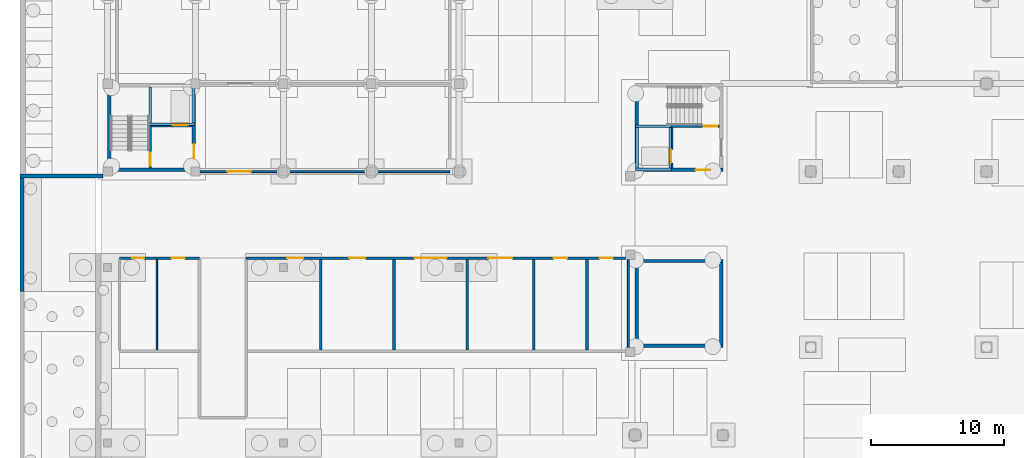
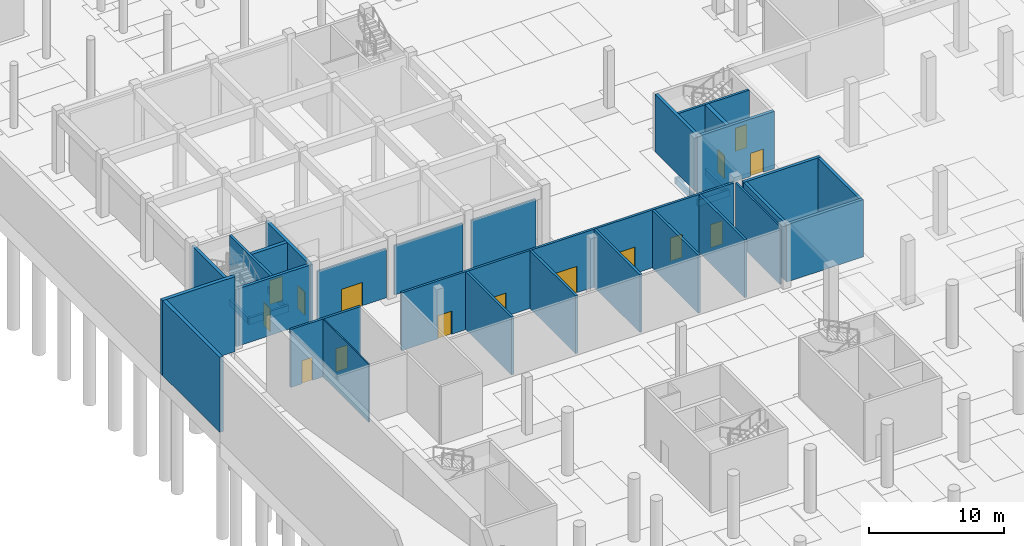
# One storey, part 13 of 38: 34 walls, 15 doors, 15 openings.
"""IFC4 building model written with IfcOpenShell, lengths in metres."""

from ifc_helpers import new_model, si_unit, direction, frame, frame_2d, origin, place, context, subcontext, project, spatial, rectangle, extrude, material, layer, layer_set, type_object, element, fill, save


model = new_model("IFC4")

# Units and contexts
model_context = context("Model", 3, precision=1e-05, world=origin(), true_north=direction((0.0, 1.0)))
body_context = subcontext(model_context, "Body", "Model", "MODEL_VIEW")
ifc_project = project(units=[si_unit("LENGTHUNIT", "METRE"), si_unit("AREAUNIT", "SQUARE_METRE"), si_unit("VOLUMEUNIT", "CUBIC_METRE"), si_unit("PLANEANGLEUNIT", "RADIAN"), si_unit("MASSUNIT", "GRAM", prefix="KILO")], contexts=[model_context])

# Site, building, storey
site_placement = place(None, origin())
site = spatial("IfcSite", under=ifc_project, at=site_placement, CompositionType="ELEMENT")
building_placement = place(site_placement, origin())
building = spatial("IfcBuilding", under=site, at=building_placement, Name="Lantern Court Research Institute", CompositionType="ELEMENT")
storey_placement = place(building_placement, frame((0.0, 0.0, -5.699951171875)))
storey = spatial("IfcBuildingStorey", under=building, at=storey_placement, Name="B1", CompositionType="ELEMENT", Elevation=-5.699951171875)

# Walls
ifc_material_1 = material(Name="Masonry blockwork 7 N/mm2", Category="masonry")
ifc_layer_1 = layer(ifc_material_1, 0.10009765625)
ifc_layer_set_1 = layer_set([ifc_layer_1], Name="Masonry blockwork 7 N/mm2")
wall_type_1 = type_object("IfcWallType", Name="Fire compartment wall 100 EI 60", PredefinedType="PARTITIONING", material=ifc_layer_set_1)
wall_1_placement = place(storey_placement, frame((3.699951171875, 36.10009765625, 0.0), z_axis=(0.0, 0.0, 1.0), x_axis=(0.0, 1.0, 0.0)))
element("IfcWall", 1, at=wall_1_placement, inside=storey, type_object=wall_type_1, Name="PT33", PredefinedType="PARTITIONING", context=body_context, shape_type="SweptSolid", body=[
    extrude(rectangle(XDim=6.7998046875, YDim=0.10009765625, at=frame_2d((3.39990234375, 0.0))), origin(), (0.0, 0.0, 1.0), 5.25),
])
ifc_material_2 = material(Name="Masonry blockwork 7 N/mm2", Category="masonry")
ifc_layer_2 = layer(ifc_material_2, 0.14990234375)
ifc_layer_set_2 = layer_set([ifc_layer_2], Name="Masonry blockwork 7 N/mm2")
wall_type_2 = type_object("IfcWallType", Name="Fire compartment wall 150 EI 120", PredefinedType="PARTITIONING", material=ifc_layer_set_2)
wall_2_placement = place(storey_placement, frame((39.10009765625, 36.300048828125, 0.0), z_axis=(0.0, 0.0, 1.0), x_axis=(0.0, 1.0, 0.0)))
element("IfcWall", 2, at=wall_2_placement, inside=storey, type_object=wall_type_2, Name="PT42", PredefinedType="PARTITIONING", context=body_context, shape_type="SweptSolid", body=[
    extrude(rectangle(XDim=6.599853515625, YDim=0.14990234375, at=frame_2d((3.2998046875, 0.0))), origin(), (0.0, 0.0, 1.0), 5.25),
])

# Wall, opening, door
ifc_material_3 = material(Name="Masonry blockwork 7 N/mm2", Category="masonry")
ifc_layer_3 = layer(ifc_material_3, 0.14990234375)
ifc_layer_set_3 = layer_set([ifc_layer_3], Name="Masonry blockwork 7 N/mm2")
wall_type_3 = type_object("IfcWallType", Name="Fire compartment wall 150 EI 60", PredefinedType="PARTITIONING", material=ifc_layer_set_3)
wall_3_placement = place(storey_placement, frame((6.949951171875, 49.5, 0.0), z_axis=(0.0, 0.0, 1.0), x_axis=(1.0, 0.0, 0.0)))
wall_3 = element("IfcWall", 3, at=wall_3_placement, inside=storey, type_object=wall_type_3, Name="PT22", PredefinedType="PARTITIONING", context=body_context, shape_type="SweptSolid", body=[
    extrude(rectangle(XDim=5.900146484375, YDim=0.14990234375, at=frame_2d((2.9501953125, 0.0))), origin(), (0.0, 0.0, 1.0), 4.449951171875),
])
opening_1_placement = place(wall_3_placement, frame((2.050048828125, 0.0, 0.0)))
opening_1 = element("IfcOpeningElement", 4, at=opening_1_placement, cuts=wall_3, Name="Opening DB009", PredefinedType="OPENING", context=body_context, shape_type="SweptSolid", body=[
    extrude(rectangle(XDim=1.800048828125, YDim=2.10009765625, at=frame_2d((0.89990234375, 1.050048828125))), frame((0.0, 0.0849609375, 0.0), z_axis=(0.0, -1.0, 0.0), x_axis=(1.0, 0.0, 0.0)), (0.0, 0.0, 1.0), 0.169921875),
])
ifc_material_4 = material(Name="Steel", Category="steel")
door_type_1 = type_object("IfcDoorType", Name="Door 1800 x 2100 fire rated FD60 pair", OperationType="DOUBLE_DOOR_SINGLE_SWING", PredefinedType="DOOR", material=ifc_material_4)
door_1_placement = place(opening_1_placement, origin())
door_1 = element("IfcDoor", 5, at=door_1_placement, inside=storey, type_object=door_type_1, Name="Door DB009", OperationType="DOUBLE_DOOR_SINGLE_SWING", OverallHeight=2.10009765625, OverallWidth=1.800048828125, PredefinedType="DOOR", context=body_context, shape_type="SweptSolid", body=[
    extrude(rectangle(XDim=1.800048828125, YDim=2.10009765625, at=frame_2d((0.89990234375, 1.050048828125))), frame((0.0, 0.02490234375, 0.0), z_axis=(0.0, -1.0, 0.0), x_axis=(1.0, 0.0, 0.0)), (0.0, 0.0, 1.0), 0.050048828125),
])
fill(opening_1, door_1)

# Walls
wall_4_placement = place(storey_placement, frame((13.550048828125, 49.5, 0.0), z_axis=(0.0, 0.0, 1.0), x_axis=(1.0, 0.0, 0.0)))
element("IfcWall", 6, at=wall_4_placement, inside=storey, type_object=wall_type_3, Name="PT23", PredefinedType="PARTITIONING", context=body_context, shape_type="SweptSolid", body=[
    extrude(rectangle(XDim=5.89990234375, YDim=0.14990234375, at=frame_2d((2.949951171875, 0.0))), origin(), (0.0, 0.0, 1.0), 4.449951171875),
])
wall_5_placement = place(storey_placement, frame((20.14990234375, 49.5, 0.0), z_axis=(0.0, 0.0, 1.0), x_axis=(1.0, 0.0, 0.0)))
element("IfcWall", 7, at=wall_5_placement, inside=storey, type_object=wall_type_3, Name="PT24", PredefinedType="PARTITIONING", context=body_context, shape_type="SweptSolid", body=[
    extrude(rectangle(XDim=5.550048828125, YDim=0.14990234375, at=frame_2d((2.77490234375, 0.0))), origin(), (0.0, 0.0, 1.0), 4.449951171875),
])

# Wall, openings, doors
ifc_material_5 = material(Name="Masonry blockwork 7 N/mm2", Category="masonry")
ifc_layer_4 = layer(ifc_material_5, 0.199951171875)
ifc_layer_set_4 = layer_set([ifc_layer_4], Name="Masonry blockwork 7 N/mm2")
wall_type_4 = type_object("IfcWallType", Name="Fire compartment wall 200 EI 120", PredefinedType="PARTITIONING", material=ifc_layer_set_4)
wall_6_placement = place(storey_placement, frame((0.89990234375, 43.0, 0.0), z_axis=(0.0, 0.0, 1.0), x_axis=(1.0, 0.0, 0.0)))
wall_6 = element("IfcWall", 8, at=wall_6_placement, inside=storey, type_object=wall_type_4, Name="PT20", PredefinedType="PARTITIONING", context=body_context, shape_type="SweptSolid", body=[
    extrude(rectangle(XDim=6.0, YDim=0.199951171875, at=frame_2d((3.0, 0.0))), origin(), (0.0, 0.0, 1.0), 5.25),
])
opening_2_placement = place(wall_6_placement, frame((0.949951171875, 0.0, 0.0)))
opening_2 = element("IfcOpeningElement", 9, at=opening_2_placement, cuts=wall_6, Name="Opening DB001", PredefinedType="OPENING", context=body_context, shape_type="SweptSolid", body=[
    extrude(rectangle(XDim=0.89990234375, YDim=2.10009765625, at=frame_2d((0.449951171875, 1.050048828125))), frame((0.0, 0.10986328125, 0.0), z_axis=(0.0, -1.0, 0.0), x_axis=(1.0, 0.0, 0.0)), (0.0, 0.0, 1.0), 0.219970703125),
])
opening_3_placement = place(wall_6_placement, frame((3.89990234375, 0.0, 0.0)))
opening_3 = element("IfcOpeningElement", 10, at=opening_3_placement, cuts=wall_6, Name="Opening DB002", PredefinedType="OPENING", context=body_context, shape_type="SweptSolid", body=[
    extrude(rectangle(XDim=1.0, YDim=2.10009765625, at=frame_2d((0.5, 1.050048828125))), frame((0.0, 0.10986328125, 0.0), z_axis=(0.0, -1.0, 0.0), x_axis=(1.0, 0.0, 0.0)), (0.0, 0.0, 1.0), 0.219970703125),
])
ifc_material_6 = material(Name="Steel", Category="steel")
door_type_2 = type_object("IfcDoorType", Name="Door 1000 x 2100 fire rated FD30S", OperationType="SINGLE_SWING_LEFT", PredefinedType="DOOR", material=ifc_material_6)
door_2_placement = place(opening_3_placement, origin())
door_2 = element("IfcDoor", 11, at=door_2_placement, inside=storey, type_object=door_type_2, Name="Door DB002", OperationType="SINGLE_SWING_RIGHT", OverallHeight=2.10009765625, OverallWidth=1.0, PredefinedType="DOOR", context=body_context, shape_type="SweptSolid", body=[
    extrude(rectangle(XDim=1.0, YDim=2.10009765625, at=frame_2d((0.5, 1.050048828125))), frame((0.0, 0.02490234375, 0.0), z_axis=(0.0, -1.0, 0.0), x_axis=(1.0, 0.0, 0.0)), (0.0, 0.0, 1.0), 0.050048828125),
])
fill(opening_3, door_2)
ifc_material_7 = material(Name="Steel", Category="steel")
door_type_3 = type_object("IfcDoorType", Name="Door 900 x 2100 fire rated FD30S", OperationType="SINGLE_SWING_LEFT", PredefinedType="DOOR", material=ifc_material_7)
door_3_placement = place(opening_2_placement, origin())
door_3 = element("IfcDoor", 12, at=door_3_placement, inside=storey, type_object=door_type_3, Name="Door DB001", OperationType="SINGLE_SWING_LEFT", OverallHeight=2.10009765625, OverallWidth=0.89990234375, PredefinedType="DOOR", context=body_context, shape_type="SweptSolid", body=[
    extrude(rectangle(XDim=0.89990234375, YDim=2.10009765625, at=frame_2d((0.449951171875, 1.050048828125))), frame((0.0, 0.02490234375, 0.0), z_axis=(0.0, -1.0, 0.0), x_axis=(1.0, 0.0, 0.0)), (0.0, 0.0, 1.0), 0.050048828125),
])
fill(opening_2, door_3)

wall_7_placement = place(storey_placement, frame((10.39990234375, 43.0, 0.0), z_axis=(0.0, 0.0, 1.0), x_axis=(1.0, 0.0, 0.0)))
wall_7 = element("IfcWall", 13, at=wall_7_placement, inside=storey, type_object=wall_type_4, Name="PT21", PredefinedType="PARTITIONING", context=body_context, shape_type="SweptSolid", body=[
    extrude(rectangle(XDim=28.5, YDim=0.199951171875, at=frame_2d((14.25, 0.0))), origin(), (0.0, 0.0, 1.0), 5.25),
])
opening_4_placement = place(wall_7_placement, frame((3.10009765625, 0.0, 0.0)))
opening_4 = element("IfcOpeningElement", 14, at=opening_4_placement, cuts=wall_7, Name="Opening DB003", PredefinedType="OPENING", context=body_context, shape_type="SweptSolid", body=[
    extrude(rectangle(XDim=1.199951171875, YDim=2.10009765625, at=frame_2d((0.60009765625, 1.050048828125))), frame((0.0, 0.10986328125, 0.0), z_axis=(0.0, -1.0, 0.0), x_axis=(1.0, 0.0, 0.0)), (0.0, 0.0, 1.0), 0.219970703125),
])
opening_5_placement = place(wall_7_placement, frame((7.75, 0.0, 0.0)))
opening_5 = element("IfcOpeningElement", 15, at=opening_5_placement, cuts=wall_7, Name="Opening DB004", PredefinedType="OPENING", context=body_context, shape_type="SweptSolid", body=[
    extrude(rectangle(XDim=1.199951171875, YDim=2.10009765625, at=frame_2d((0.60009765625, 1.050048828125))), frame((0.0, 0.10986328125, 0.0), z_axis=(0.0, -1.0, 0.0), x_axis=(1.0, 0.0, 0.0)), (0.0, 0.0, 1.0), 0.219970703125),
])
opening_6_placement = place(wall_7_placement, frame((12.64990234375, 0.0, 0.0)))
opening_6 = element("IfcOpeningElement", 16, at=opening_6_placement, cuts=wall_7, Name="Opening DB005", PredefinedType="OPENING", context=body_context, shape_type="SweptSolid", body=[
    extrude(rectangle(XDim=2.39990234375, YDim=2.39990234375, at=frame_2d((1.199951171875, 1.199951171875))), frame((0.0, 0.10986328125, 0.0), z_axis=(0.0, -1.0, 0.0), x_axis=(1.0, 0.0, 0.0)), (0.0, 0.0, 1.0), 0.219970703125),
])
opening_7_placement = place(wall_7_placement, frame((18.199951171875, 0.0, 0.0)))
opening_7 = element("IfcOpeningElement", 17, at=opening_7_placement, cuts=wall_7, Name="Opening DB006", PredefinedType="OPENING", context=body_context, shape_type="SweptSolid", body=[
    extrude(rectangle(XDim=1.800048828125, YDim=2.39990234375, at=frame_2d((0.89990234375, 1.199951171875))), frame((0.0, 0.10986328125, 0.0), z_axis=(0.0, -1.0, 0.0), x_axis=(1.0, 0.0, 0.0)), (0.0, 0.0, 1.0), 0.219970703125),
])
opening_8_placement = place(wall_7_placement, frame((23.10009765625, 0.0, 0.0)))
opening_8 = element("IfcOpeningElement", 18, at=opening_8_placement, cuts=wall_7, Name="Opening DB007", PredefinedType="OPENING", context=body_context, shape_type="SweptSolid", body=[
    extrude(rectangle(XDim=1.0, YDim=2.10009765625, at=frame_2d((0.5, 1.050048828125))), frame((0.0, 0.10986328125, 0.0), z_axis=(0.0, -1.0, 0.0), x_axis=(1.0, 0.0, 0.0)), (0.0, 0.0, 1.0), 0.219970703125),
])
opening_9_placement = place(wall_7_placement, frame((26.550048828125, 0.0, 0.0)))
opening_9 = element("IfcOpeningElement", 19, at=opening_9_placement, cuts=wall_7, Name="Opening DB008", PredefinedType="OPENING", context=body_context, shape_type="SweptSolid", body=[
    extrude(rectangle(XDim=1.0, YDim=2.10009765625, at=frame_2d((0.5, 1.050048828125))), frame((0.0, 0.10986328125, 0.0), z_axis=(0.0, -1.0, 0.0), x_axis=(1.0, 0.0, 0.0)), (0.0, 0.0, 1.0), 0.219970703125),
])
ifc_material_8 = material(Name="Steel", Category="steel")
door_type_4 = type_object("IfcDoorType", Name="Door 1000 x 2100 fire rated FD60", OperationType="SINGLE_SWING_LEFT", PredefinedType="DOOR", material=ifc_material_8)
door_4_placement = place(opening_8_placement, origin())
door_4 = element("IfcDoor", 20, at=door_4_placement, inside=storey, type_object=door_type_4, Name="Door DB007", OperationType="SINGLE_SWING_LEFT", OverallHeight=2.10009765625, OverallWidth=1.0, PredefinedType="DOOR", context=body_context, shape_type="SweptSolid", body=[
    extrude(rectangle(XDim=1.0, YDim=2.10009765625, at=frame_2d((0.5, 1.050048828125))), frame((0.0, 0.02490234375, 0.0), z_axis=(0.0, -1.0, 0.0), x_axis=(1.0, 0.0, 0.0)), (0.0, 0.0, 1.0), 0.050048828125),
])
fill(opening_8, door_4)
door_5_placement = place(opening_9_placement, origin())
door_5 = element("IfcDoor", 21, at=door_5_placement, inside=storey, type_object=door_type_4, Name="Door DB008", OperationType="SINGLE_SWING_RIGHT", OverallHeight=2.10009765625, OverallWidth=1.0, PredefinedType="DOOR", context=body_context, shape_type="SweptSolid", body=[
    extrude(rectangle(XDim=1.0, YDim=2.10009765625, at=frame_2d((0.5, 1.050048828125))), frame((0.0, 0.02490234375, 0.0), z_axis=(0.0, -1.0, 0.0), x_axis=(1.0, 0.0, 0.0)), (0.0, 0.0, 1.0), 0.050048828125),
])
fill(opening_9, door_5)
ifc_material_9 = material(Name="Steel", Category="steel")
door_type_5 = type_object("IfcDoorType", Name="Door 1200 x 2100 fire rated FD60", OperationType="SINGLE_SWING_LEFT", PredefinedType="DOOR", material=ifc_material_9)
door_6_placement = place(opening_4_placement, origin())
door_6 = element("IfcDoor", 22, at=door_6_placement, inside=storey, type_object=door_type_5, Name="Door DB003", OperationType="SINGLE_SWING_LEFT", OverallHeight=2.10009765625, OverallWidth=1.199951171875, PredefinedType="DOOR", context=body_context, shape_type="SweptSolid", body=[
    extrude(rectangle(XDim=1.199951171875, YDim=2.10009765625, at=frame_2d((0.60009765625, 1.050048828125))), frame((0.0, 0.02490234375, 0.0), z_axis=(0.0, -1.0, 0.0), x_axis=(1.0, 0.0, 0.0)), (0.0, 0.0, 1.0), 0.050048828125),
])
fill(opening_4, door_6)
door_7_placement = place(opening_5_placement, origin())
door_7 = element("IfcDoor", 23, at=door_7_placement, inside=storey, type_object=door_type_5, Name="Door DB004", OperationType="SINGLE_SWING_RIGHT", OverallHeight=2.10009765625, OverallWidth=1.199951171875, PredefinedType="DOOR", context=body_context, shape_type="SweptSolid", body=[
    extrude(rectangle(XDim=1.199951171875, YDim=2.10009765625, at=frame_2d((0.60009765625, 1.050048828125))), frame((0.0, 0.02490234375, 0.0), z_axis=(0.0, -1.0, 0.0), x_axis=(1.0, 0.0, 0.0)), (0.0, 0.0, 1.0), 0.050048828125),
])
fill(opening_5, door_7)
ifc_material_10 = material(Name="Steel", Category="steel")
door_type_6 = type_object("IfcDoorType", Name="Door 1800 x 2400 fire rated FD60 pair", OperationType="DOUBLE_DOOR_SINGLE_SWING", PredefinedType="DOOR", material=ifc_material_10)
door_8_placement = place(opening_7_placement, origin())
door_8 = element("IfcDoor", 24, at=door_8_placement, inside=storey, type_object=door_type_6, Name="Door DB006", OperationType="DOUBLE_DOOR_SINGLE_SWING", OverallHeight=2.39990234375, OverallWidth=1.800048828125, PredefinedType="DOOR", context=body_context, shape_type="SweptSolid", body=[
    extrude(rectangle(XDim=1.800048828125, YDim=2.39990234375, at=frame_2d((0.89990234375, 1.199951171875))), frame((0.0, 0.02490234375, 0.0), z_axis=(0.0, -1.0, 0.0), x_axis=(1.0, 0.0, 0.0)), (0.0, 0.0, 1.0), 0.050048828125),
])
fill(opening_7, door_8)
ifc_material_11 = material(Name="Steel", Category="steel")
door_type_7 = type_object("IfcDoorType", Name="Door 2400 x 2400 fire rated FD60 pair", OperationType="DOUBLE_DOOR_SINGLE_SWING", PredefinedType="DOOR", material=ifc_material_11)
door_9_placement = place(opening_6_placement, origin())
door_9 = element("IfcDoor", 25, at=door_9_placement, inside=storey, type_object=door_type_7, Name="Door DB005", OperationType="DOUBLE_DOOR_SINGLE_SWING", OverallHeight=2.39990234375, OverallWidth=2.39990234375, PredefinedType="DOOR", context=body_context, shape_type="SweptSolid", body=[
    extrude(rectangle(XDim=2.39990234375, YDim=2.39990234375, at=frame_2d((1.199951171875, 1.199951171875))), frame((0.0, 0.02490234375, 0.0), z_axis=(0.0, -1.0, 0.0), x_axis=(1.0, 0.0, 0.0)), (0.0, 0.0, 1.0), 0.050048828125),
])
fill(opening_6, door_9)

# Walls
for number, where, z_axis, x_axis, name in (
    (26, (16.0, 36.10009765625, 0.0), (0.0, 0.0, 1.0), (0.0, 1.0, 0.0), "PT36"),
    (27, (21.5, 36.10009765625, 0.0), (0.0, 0.0, 1.0), (0.0, 1.0, 0.0), "PT37"),
    (28, (27.0, 36.10009765625, 0.0), (0.0, 0.0, 1.0), (0.0, 1.0, 0.0), "PT39"),
    (29, (32.0, 36.10009765625, 0.0), (0.0, 0.0, 1.0), (0.0, 1.0, 0.0), "PT40"),
    (30, (36.0, 36.10009765625, 0.0), (0.0, 0.0, 1.0), (0.0, 1.0, 0.0), "PT41"),
):
    element("IfcWall", number, at=place(storey_placement, frame(where, z_axis=z_axis, x_axis=x_axis)), inside=storey, type_object=wall_type_4, Name=name, PredefinedType="PARTITIONING", context=body_context, shape_type="SweptSolid", body=[
        extrude(rectangle(XDim=6.7998046875, YDim=0.199951171875, at=frame_2d((3.39990234375, 0.0))), origin(), (0.0, 0.0, 1.0), 5.25),
    ])

# Wall, opening, door
ifc_material_12 = material(Name="Concrete C40/50", Category="concrete")
ifc_layer_5 = layer(ifc_material_12, 0.25)
ifc_layer_set_5 = layer_set([ifc_layer_5], Name="Concrete C40/50")
wall_type_5 = type_object("IfcWallType", Name="RC core wall 250", PredefinedType="SHEAR", material=ifc_layer_set_5)
wall_8_placement = place(storey_placement, frame((6.47509765625, 49.5, 0.0), z_axis=(0.0, 0.0, 1.0), x_axis=(0.0, 1.0, 0.0)))
wall_8 = element("IfcWall", 31, at=wall_8_placement, inside=storey, type_object=wall_type_5, Name="East wall of core CC-A", PredefinedType="SHEAR", context=body_context, shape_type="SweptSolid", body=[
    extrude(rectangle(XDim=6.60009765625, YDim=0.25, at=frame_2d((3.300048828125, 0.0))), origin(), (0.0, 0.0, 1.0), 5.199951171875),
])
opening_10_placement = place(wall_8_placement, frame((0.949951171875, 0.0, 0.0)))
opening_10 = element("IfcOpeningElement", 32, at=opening_10_placement, cuts=wall_8, Name="Opening D7273", PredefinedType="OPENING", context=body_context, shape_type="SweptSolid", body=[
    extrude(rectangle(XDim=1.10009765625, YDim=2.10009765625, at=frame_2d((0.550048828125, 1.050048828125))), frame((0.0, 0.135009765625, 0.0), z_axis=(0.0, -1.0, 0.0), x_axis=(1.0, 0.0, 0.0)), (0.0, 0.0, 1.0), 0.27001953125),
])
ifc_material_13 = material(Name="Steel fire door leaf with smoke seals", Category="steel")
door_type_8 = type_object("IfcDoorType", Name="Door 1100 x 2100 fire rated FD60S", OperationType="NOTDEFINED", PredefinedType="DOOR", material=ifc_material_13)
door_10_placement = place(opening_10_placement, origin())
door_10 = element("IfcDoor", 33, at=door_10_placement, inside=storey, type_object=door_type_8, Name="Lobby door", OperationType="SINGLE_SWING_RIGHT", OverallHeight=2.10009765625, OverallWidth=1.10009765625, PredefinedType="DOOR", context=body_context, shape_type="SweptSolid", body=[
    extrude(rectangle(XDim=1.10009765625, YDim=2.10009765625, at=frame_2d((0.550048828125, 1.050048828125))), frame((0.0, 0.02490234375, 0.0), z_axis=(0.0, -1.0, 0.0), x_axis=(1.0, 0.0, 0.0)), (0.0, 0.0, 1.0), 0.050048828125),
])
fill(opening_10, door_10)

# Walls
wall_9_placement = place(storey_placement, frame((0.125, 49.5, 0.0), z_axis=(0.0, 0.0, 1.0), x_axis=(0.0, 1.0, 0.0)))
element("IfcWall", 34, at=wall_9_placement, inside=storey, type_object=wall_type_5, Name="West wall of core CC-A", PredefinedType="SHEAR", context=body_context, shape_type="SweptSolid", body=[
    extrude(rectangle(XDim=6.60009765625, YDim=0.25, at=frame_2d((3.300048828125, 0.0))), origin(), (0.0, 0.0, 1.0), 5.199951171875),
])
wall_10_placement = place(storey_placement, frame((6.35009765625, 49.625, 0.0), z_axis=(0.0, 0.0, 1.0), x_axis=(-1.0, 0.0, 0.0)))
element("IfcWall", 35, at=wall_10_placement, inside=storey, type_object=wall_type_5, Name="South wall of core CC-A", PredefinedType="SHEAR", context=body_context, shape_type="SweptSolid", body=[
    extrude(rectangle(XDim=6.10009765625, YDim=0.25, at=frame_2d((3.050048828125, 0.0))), origin(), (0.0, 0.0, 1.0), 5.199951171875),
])

# Wall, opening, door
wall_11_placement = place(storey_placement, frame((39.60009765625, 49.625, 0.0), z_axis=(0.0, 0.0, 1.0), x_axis=(1.0, 0.0, 0.0)))
wall_11 = element("IfcWall", 36, at=wall_11_placement, inside=storey, type_object=wall_type_5, Name="South wall of core HC-A", PredefinedType="SHEAR", context=body_context, shape_type="SweptSolid", body=[
    extrude(rectangle(XDim=6.599853515625, YDim=0.25, at=frame_2d((3.2998046875, 0.0))), origin(), (0.0, 0.0, 1.0), 5.199951171875),
])
opening_11_placement = place(wall_11_placement, frame((4.550048828125, 0.0, 0.0)))
opening_11 = element("IfcOpeningElement", 37, at=opening_11_placement, cuts=wall_11, Name="Opening D7299", PredefinedType="OPENING", context=body_context, shape_type="SweptSolid", body=[
    extrude(rectangle(XDim=1.10009765625, YDim=2.10009765625, at=frame_2d((0.550048828125, 1.050048828125))), frame((0.0, 0.135009765625, 0.0), z_axis=(0.0, -1.0, 0.0), x_axis=(1.0, 0.0, 0.0)), (0.0, 0.0, 1.0), 0.27001953125),
])
door_11_placement = place(opening_11_placement, origin())
door_11 = element("IfcDoor", 38, at=door_11_placement, inside=storey, type_object=door_type_8, Name="Lobby door", OperationType="SINGLE_SWING_LEFT", OverallHeight=2.10009765625, OverallWidth=1.10009765625, PredefinedType="DOOR", context=body_context, shape_type="SweptSolid", body=[
    extrude(rectangle(XDim=1.10009765625, YDim=2.10009765625, at=frame_2d((0.550048828125, 1.050048828125))), frame((0.0, 0.02490234375, 0.0), z_axis=(0.0, -1.0, 0.0), x_axis=(1.0, 0.0, 0.0)), (0.0, 0.0, 1.0), 0.050048828125),
])
fill(opening_11, door_11)

# Walls
wall_12_placement = place(storey_placement, frame((39.72509765625, 49.75, 0.0), z_axis=(0.0, 0.0, 1.0), x_axis=(0.0, 1.0, 0.0)))
element("IfcWall", 39, at=wall_12_placement, inside=storey, type_object=wall_type_5, Name="West wall of core HC-A", PredefinedType="SHEAR", context=body_context, shape_type="SweptSolid", body=[
    extrude(rectangle(XDim=6.10009765625, YDim=0.25, at=frame_2d((3.050048828125, 0.0))), origin(), (0.0, 0.0, 1.0), 5.199951171875),
])
for number, where, z_axis, x_axis, name in (
    (40, (39.60009765625, 36.425048828125, 0.0), (0.0, 0.0, 1.0), (1.0, 0.0, 0.0), "South wall of core HC-C"),
    (41, (39.60009765625, 42.77490234375, 0.0), (0.0, 0.0, 1.0), (1.0, 0.0, 0.0), "North wall of core HC-C"),
):
    element("IfcWall", number, at=place(storey_placement, frame(where, z_axis=z_axis, x_axis=x_axis)), inside=storey, type_object=wall_type_5, Name=name, PredefinedType="SHEAR", context=body_context, shape_type="SweptSolid", body=[
        extrude(rectangle(XDim=6.599853515625, YDim=0.25, at=frame_2d((3.2998046875, 0.0))), origin(), (0.0, 0.0, 1.0), 5.199951171875),
    ])
for number, where, z_axis, x_axis, name in (
    (42, (39.72509765625, 36.550048828125, 0.0), (0.0, 0.0, 1.0), (0.0, 1.0, 0.0), "West wall of core HC-C"),
    (43, (46.074951171875, 36.550048828125, 0.0), (0.0, 0.0, 1.0), (0.0, 1.0, 0.0), "East wall of core HC-C"),
):
    element("IfcWall", number, at=place(storey_placement, frame(where, z_axis=z_axis, x_axis=x_axis)), inside=storey, type_object=wall_type_5, Name=name, PredefinedType="SHEAR", context=body_context, shape_type="SweptSolid", body=[
        extrude(rectangle(XDim=6.099853515625, YDim=0.25, at=frame_2d((3.0498046875, 0.0))), origin(), (0.0, 0.0, 1.0), 5.199951171875),
    ])
ifc_material_14 = material(Name="Concrete C30/37", Category="concrete")
ifc_layer_6 = layer(ifc_material_14, 0.199951171875)
ifc_layer_set_6 = layer_set([ifc_layer_6], Name="Concrete C30/37")
wall_type_6 = type_object("IfcWallType", Name="RC lift pit wall 200", PredefinedType="SHEAR", material=ifc_layer_set_6)
wall_13_placement = place(storey_placement, frame((3.10009765625, 53.050048828125, -1.199951171875), z_axis=(0.0, 0.0, 1.0), x_axis=(1.0, 0.0, 0.0)))
element("IfcWall", 44, at=wall_13_placement, inside=storey, type_object=wall_type_6, Name="Lift pit wall of core CC-A (south)", PredefinedType="SHEAR", context=body_context, shape_type="SweptSolid", body=[
    extrude(rectangle(XDim=3.449951171875, YDim=0.199951171875, at=frame_2d((1.72509765625, 0.0))), origin(), (0.0, 0.0, 1.0), 0.599853515625),
])
for number, where, z_axis, x_axis, name in (
    (45, (3.199951171875, 53.14990234375, -1.199951171875), (0.0, 0.0, 1.0), (0.0, 1.0, 0.0), "Lift pit wall of core CC-A (west)"),
    (46, (6.449951171875, 53.14990234375, -1.199951171875), (0.0, 0.0, 1.0), (0.0, 1.0, 0.0), "Lift pit wall of core CC-A (east)"),
    (47, (39.64990234375, 49.64990234375, -1.199951171875), (0.0, 0.0, 1.0), (1.0, 0.0, 0.0), "Lift pit wall of core HC-A (south)"),
    (48, (39.64990234375, 52.89990234375, -1.199951171875), (0.0, 0.0, 1.0), (1.0, 0.0, 0.0), "Lift pit wall of core HC-A (north)"),
):
    element("IfcWall", number, at=place(storey_placement, frame(where, z_axis=z_axis, x_axis=x_axis)), inside=storey, type_object=wall_type_6, Name=name, PredefinedType="SHEAR", context=body_context, shape_type="SweptSolid", body=[
        extrude(rectangle(XDim=2.7001953125, YDim=0.199951171875, at=frame_2d((1.35009765625, 0.0))), origin(), (0.0, 0.0, 1.0), 0.599853515625),
    ])
for number, where, z_axis, x_axis, name in (
    (49, (39.75, 49.75, -1.199951171875), (0.0, 0.0, 1.0), (0.0, 1.0, 0.0), "Lift pit wall of core HC-A (west)"),
    (50, (42.25, 49.75, -1.199951171875), (0.0, 0.0, 1.0), (0.0, 1.0, 0.0), "Lift pit wall of core HC-A (east)"),
):
    element("IfcWall", number, at=place(storey_placement, frame(where, z_axis=z_axis, x_axis=x_axis)), inside=storey, type_object=wall_type_6, Name=name, PredefinedType="SHEAR", context=body_context, shape_type="SweptSolid", body=[
        extrude(rectangle(XDim=3.050048828125, YDim=0.199951171875, at=frame_2d((1.52490234375, 0.0))), origin(), (0.0, 0.0, 1.0), 0.599853515625),
    ])

# Wall, opening, door
ifc_material_15 = material(Name="Concrete C40/50", Category="concrete")
ifc_layer_7 = layer(ifc_material_15, 0.199951171875)
ifc_layer_set_7 = layer_set([ifc_layer_7], Name="Concrete C40/50")
wall_type_7 = type_object("IfcWallType", Name="RC shaft wall 200", PredefinedType="SHEAR", material=ifc_layer_set_7)
wall_14_placement = place(storey_placement, frame((3.199951171875, 49.75, 0.0), z_axis=(0.0, 0.0, 1.0), x_axis=(0.0, 1.0, 0.0)))
wall_14 = element("IfcWall", 51, at=wall_14_placement, inside=storey, type_object=wall_type_7, Name="Stair wall of core CC-A", PredefinedType="SHEAR", context=body_context, shape_type="SweptSolid", body=[
    extrude(rectangle(XDim=6.10009765625, YDim=0.199951171875, at=frame_2d((3.050048828125, 0.0))), origin(), (0.0, 0.0, 1.0), 5.199951171875),
])
opening_12_placement = place(wall_14_placement, frame((0.175048828125, 0.0, 0.0)))
opening_12 = element("IfcOpeningElement", 52, at=opening_12_placement, cuts=wall_14, Name="Opening D7274", PredefinedType="OPENING", context=body_context, shape_type="SweptSolid", body=[
    extrude(rectangle(XDim=1.0, YDim=2.10009765625, at=frame_2d((0.5, 1.050048828125))), frame((0.0, 0.10986328125, 0.0), z_axis=(0.0, -1.0, 0.0), x_axis=(1.0, 0.0, 0.0)), (0.0, 0.0, 1.0), 0.219970703125),
])
ifc_material_16 = material(Name="Steel fire door leaf with smoke seals", Category="steel")
door_type_9 = type_object("IfcDoorType", Name="Door 1000 x 2100 fire rated FD60S", OperationType="NOTDEFINED", PredefinedType="DOOR", material=ifc_material_16)
door_12_placement = place(opening_12_placement, origin())
door_12 = element("IfcDoor", 53, at=door_12_placement, inside=storey, type_object=door_type_9, Name="Stair door", OperationType="SINGLE_SWING_RIGHT", OverallHeight=2.10009765625, OverallWidth=1.0, PredefinedType="DOOR", context=body_context, shape_type="SweptSolid", body=[
    extrude(rectangle(XDim=1.0, YDim=2.10009765625, at=frame_2d((0.5, 1.050048828125))), frame((0.0, 0.02490234375, 0.0), z_axis=(0.0, -1.0, 0.0), x_axis=(1.0, 0.0, 0.0)), (0.0, 0.0, 1.0), 0.050048828125),
])
fill(opening_12, door_12)

wall_15_placement = place(storey_placement, frame((39.85009765625, 52.89990234375, 0.0), z_axis=(0.0, 0.0, 1.0), x_axis=(1.0, 0.0, 0.0)))
wall_15 = element("IfcWall", 54, at=wall_15_placement, inside=storey, type_object=wall_type_7, Name="Stair wall of core HC-A", PredefinedType="SHEAR", context=body_context, shape_type="SweptSolid", body=[
    extrude(rectangle(XDim=6.099853515625, YDim=0.199951171875, at=frame_2d((3.0498046875, 0.0))), origin(), (0.0, 0.0, 1.0), 5.199951171875),
])
opening_13_placement = place(wall_15_placement, frame((4.925048828125, 0.0, 0.0)))
opening_13 = element("IfcOpeningElement", 55, at=opening_13_placement, cuts=wall_15, Name="Opening D7300", PredefinedType="OPENING", context=body_context, shape_type="SweptSolid", body=[
    extrude(rectangle(XDim=1.0, YDim=2.10009765625, at=frame_2d((0.5, 1.050048828125))), frame((0.0, 0.10986328125, 0.0), z_axis=(0.0, -1.0, 0.0), x_axis=(1.0, 0.0, 0.0)), (0.0, 0.0, 1.0), 0.219970703125),
])
door_13_placement = place(opening_13_placement, origin())
door_13 = element("IfcDoor", 56, at=door_13_placement, inside=storey, type_object=door_type_9, Name="Stair door", OperationType="SINGLE_SWING_LEFT", OverallHeight=2.10009765625, OverallWidth=1.0, PredefinedType="DOOR", context=body_context, shape_type="SweptSolid", body=[
    extrude(rectangle(XDim=1.0, YDim=2.10009765625, at=frame_2d((0.5, 1.050048828125))), frame((0.0, 0.02490234375, 0.0), z_axis=(0.0, -1.0, 0.0), x_axis=(1.0, 0.0, 0.0)), (0.0, 0.0, 1.0), 0.050048828125),
])
fill(opening_13, door_13)

ifc_material_17 = material(Name="Concrete C40/50", Category="concrete")
ifc_layer_8 = layer(ifc_material_17, 0.300048828125)
ifc_layer_set_8 = layer_set([ifc_layer_8], Name="Concrete C40/50")
wall_type_8 = type_object("IfcWallType", Name="RC shaft wall 300", PredefinedType="SHEAR", material=ifc_layer_set_8)
wall_16_placement = place(storey_placement, frame((6.35009765625, 53.0, 0.0), z_axis=(0.0, 0.0, 1.0), x_axis=(-1.0, 0.0, 0.0)))
wall_16 = element("IfcWall", 57, at=wall_16_placement, inside=storey, type_object=wall_type_8, Name="Lift shaft wall of core CC-A", PredefinedType="SHEAR", context=body_context, shape_type="SweptSolid", body=[
    extrude(rectangle(XDim=3.050048828125, YDim=0.300048828125, at=frame_2d((1.52490234375, 0.0))), origin(), (0.0, 0.0, 1.0), 5.199951171875),
])
opening_14_placement = place(wall_16_placement, frame((0.35009765625, 0.0, 0.0)))
opening_14 = element("IfcOpeningElement", 58, at=opening_14_placement, cuts=wall_16, Name="Opening D7275", PredefinedType="OPENING", context=body_context, shape_type="SweptSolid", body=[
    extrude(rectangle(XDim=1.10009765625, YDim=2.199951171875, at=frame_2d((0.550048828125, 1.10009765625))), frame((0.0, 0.159912109375, 0.0), z_axis=(0.0, -1.0, 0.0), x_axis=(1.0, 0.0, 0.0)), (0.0, 0.0, 1.0), 0.320068359375),
])
ifc_material_18 = material(Name="Stainless steel landing door panels", Category="steel")
door_type_10 = type_object("IfcDoorType", Name="Lift landing door 1100 x 2200 sliding FD60", OperationType="DOUBLE_DOOR_SLIDING", PredefinedType="NOTDEFINED", material=ifc_material_18)
door_14_placement = place(opening_14_placement, origin())
door_14 = element("IfcDoor", 59, at=door_14_placement, inside=storey, type_object=door_type_10, Name="Landing door", OperationType="DOUBLE_DOOR_SLIDING", OverallHeight=2.199951171875, OverallWidth=1.10009765625, PredefinedType="NOTDEFINED", context=body_context, shape_type="SweptSolid", body=[
    extrude(rectangle(XDim=1.10009765625, YDim=2.199951171875, at=frame_2d((0.550048828125, 1.10009765625))), frame((0.0, 0.02490234375, 0.0), z_axis=(0.0, -1.0, 0.0), x_axis=(1.0, 0.0, 0.0)), (0.0, 0.0, 1.0), 0.050048828125),
])
fill(opening_14, door_14)

wall_17_placement = place(storey_placement, frame((42.300048828125, 49.75, 0.0), z_axis=(0.0, 0.0, 1.0), x_axis=(0.0, 1.0, 0.0)))
wall_17 = element("IfcWall", 60, at=wall_17_placement, inside=storey, type_object=wall_type_8, Name="Lift shaft wall of core HC-A", PredefinedType="SHEAR", context=body_context, shape_type="SweptSolid", body=[
    extrude(rectangle(XDim=3.050048828125, YDim=0.300048828125, at=frame_2d((1.52490234375, 0.0))), origin(), (0.0, 0.0, 1.0), 5.199951171875),
])
opening_15_placement = place(wall_17_placement, frame((0.39990234375, 0.0, 0.0)))
opening_15 = element("IfcOpeningElement", 61, at=opening_15_placement, cuts=wall_17, Name="Opening D7302", PredefinedType="OPENING", context=body_context, shape_type="SweptSolid", body=[
    extrude(rectangle(XDim=1.0, YDim=2.10009765625, at=frame_2d((0.5, 1.050048828125))), frame((0.0, 0.159912109375, 0.0), z_axis=(0.0, -1.0, 0.0), x_axis=(1.0, 0.0, 0.0)), (0.0, 0.0, 1.0), 0.320068359375),
])
ifc_material_19 = material(Name="Stainless steel landing door panels", Category="steel")
door_type_11 = type_object("IfcDoorType", Name="Lift landing door 1000 x 2100 sliding FD60", OperationType="DOUBLE_DOOR_SLIDING", PredefinedType="NOTDEFINED", material=ifc_material_19)
door_15_placement = place(opening_15_placement, origin())
door_15 = element("IfcDoor", 62, at=door_15_placement, inside=storey, type_object=door_type_11, Name="Landing door", OperationType="DOUBLE_DOOR_SLIDING", OverallHeight=2.10009765625, OverallWidth=1.0, PredefinedType="NOTDEFINED", context=body_context, shape_type="SweptSolid", body=[
    extrude(rectangle(XDim=1.0, YDim=2.10009765625, at=frame_2d((0.5, 1.050048828125))), frame((0.0, 0.02490234375, 0.0), z_axis=(0.0, -1.0, 0.0), x_axis=(1.0, 0.0, 0.0)), (0.0, 0.0, 1.0), 0.050048828125),
])
fill(opening_15, door_15)

# Walls
ifc_material_20 = material(Name="Concrete C30/37", Category="concrete")
ifc_layer_9 = layer(ifc_material_20, 0.300048828125)
ifc_layer_set_9 = layer_set([ifc_layer_9], Name="Concrete C30/37")
wall_type_9 = type_object("IfcWallType", Name="Ramp wall 300", PredefinedType="SOLIDWALL", material=ifc_layer_set_9)
wall_18_placement = place(storey_placement, frame((-6.429931640625, 40.5, 0.0), z_axis=(0.0, 0.0, 1.0), x_axis=(0.0, 1.0, 0.0)))
element("IfcWall", 63, at=wall_18_placement, inside=storey, type_object=wall_type_9, Name="RW14", PredefinedType="SOLIDWALL", context=body_context, shape_type="SweptSolid", body=[
    extrude(rectangle(XDim=8.800048828125, YDim=0.300048828125, at=frame_2d((4.39990234375, 0.0))), origin(), (0.0, 0.0, 1.0), 6.800048828125),
])
wall_19_placement = place(storey_placement, frame((-6.580078125, 49.14990234375, 0.0), z_axis=(0.0, 0.0, 1.0), x_axis=(1.0, 0.0, 0.0)))
element("IfcWall", 64, at=wall_19_placement, inside=storey, type_object=wall_type_9, Name="RW15", PredefinedType="SOLIDWALL", context=body_context, shape_type="SweptSolid", body=[
    extrude(rectangle(XDim=6.22998046875, YDim=0.300048828125, at=frame_2d((3.114990234375, 0.0))), origin(), (0.0, 0.0, 1.0), 6.800048828125),
])

save(model, "model.ifc")
